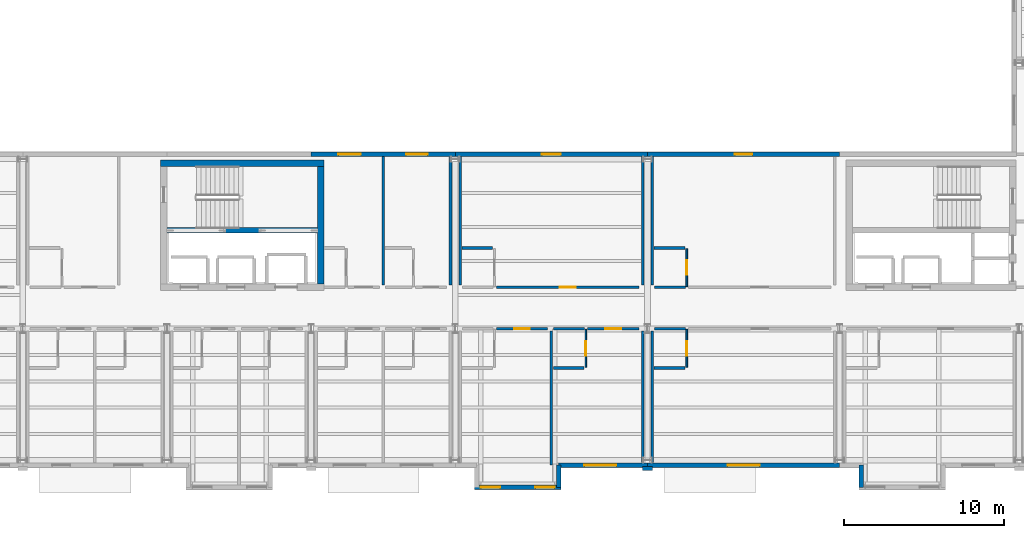
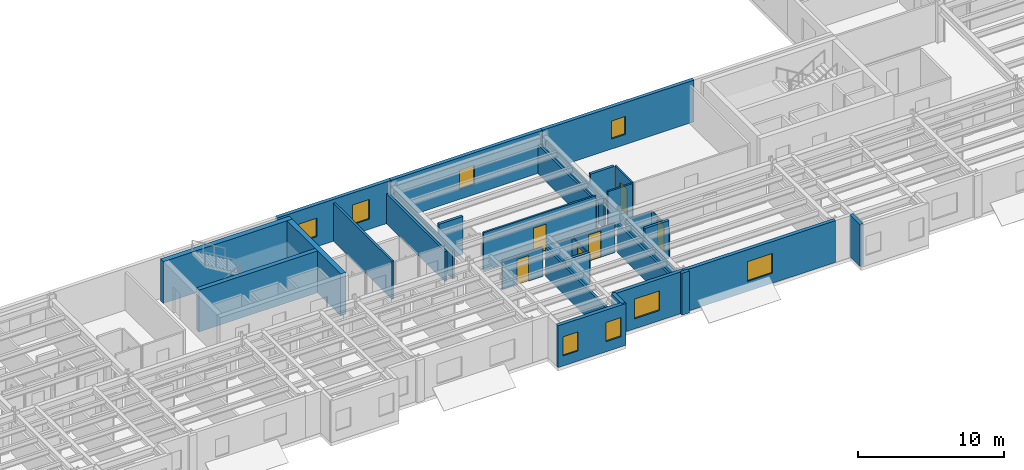
# One storey, part 11 of 19: 33 walls, 8 windows, 6 doors, 14 openings.
"""IFC4 building model written with IfcOpenShell, lengths in metres."""

from ifc_helpers import new_model, si_unit, direction, frame, frame_2d, origin, place, context, subcontext, project, spatial, rectangle, extrude, material, layer, layer_set, type_object, element, fill, save


model = new_model("IFC4")

# Units and contexts
model_context = context("Model", 3, precision=1e-05, world=origin(), true_north=direction((0.0, 1.0)))
body_context = subcontext(model_context, "Body", "Model", "MODEL_VIEW")
ifc_project = project(units=[si_unit("LENGTHUNIT", "METRE"), si_unit("AREAUNIT", "SQUARE_METRE"), si_unit("VOLUMEUNIT", "CUBIC_METRE"), si_unit("PLANEANGLEUNIT", "RADIAN"), si_unit("MASSUNIT", "GRAM", prefix="KILO")], contexts=[model_context])

# Site, building, storey
site_placement = place(None, origin())
site = spatial("IfcSite", under=ifc_project, at=site_placement, CompositionType="ELEMENT")
building_placement = place(site_placement, origin())
building = spatial("IfcBuilding", under=site, at=building_placement, Name="Sollismere Congress Hotel", CompositionType="ELEMENT")
storey_placement = place(building_placement, frame((0.0, 0.0, 34.10009765625)))
storey = spatial("IfcBuildingStorey", under=building, at=storey_placement, Name="L08", CompositionType="ELEMENT", Elevation=34.10009765625)

# Wall, opening, window
ifc_material_1 = material(Name="Colorado Buff Sandstone Rainscreen on Insulated Backup", Category="masonry")
ifc_layer_1 = layer(ifc_material_1, 0.284912109375, Name="Colorado Buff Sandstone Rainscreen on Insulated Backup")
ifc_layer_set_1 = layer_set([ifc_layer_1], Name="Colorado Buff Sandstone Rainscreen on Insulated Backup")
wall_type_1 = type_object("IfcWallType", Name="WL-EXT285", PredefinedType="STANDARD", material=ifc_layer_set_1)
wall_1_placement = place(storey_placement, frame((118.4599609375, -0.31005859375, 0.0), z_axis=(0.0, 0.0, 1.0), x_axis=(1.0, 0.0, 0.0)))
wall_1 = element("IfcWall", 1, at=wall_1_placement, inside=storey, type_object=wall_type_1, Name="Exterior wall EW-L08-828", PredefinedType="STANDARD", context=body_context, shape_type="SweptSolid", body=[
    extrude(rectangle(XDim=5.5400390625, YDim=0.284912109375, at=frame_2d((2.77001953125, 0.0))), origin(), (0.0, 0.0, 1.0), 3.5),
])
opening_1_placement = place(wall_1_placement, frame((1.594970703125, 0.0, 0.85009765625)))
opening_1 = element("IfcOpeningElement", 2, at=opening_1_placement, cuts=wall_1, Name="Opening W-L08-601", PredefinedType="OPENING", context=body_context, shape_type="SweptSolid", body=[
    extrude(rectangle(XDim=2.0, YDim=1.64990234375, at=frame_2d((1.0, 0.824951171875))), frame((0.0, 0.15234375, 0.0), z_axis=(0.0, -1.0, 0.0), x_axis=(1.0, 0.0, 0.0)), (0.0, 0.0, 1.0), 0.304931640625),
])
ifc_material_2 = material(Name="Thermally Broken Bronze Aluminum & Low-E Glass", Category="aluminium")
window_type_1 = type_object("IfcWindowType", Name="WN-P200x165", PartitioningType="SINGLE_PANEL", PredefinedType="WINDOW", material=ifc_material_2)
window_1_placement = place(opening_1_placement, origin())
window_1 = element("IfcWindow", 3, at=window_1_placement, inside=storey, type_object=window_type_1, Name="WIN-W-L08-601", OverallHeight=1.64990234375, OverallWidth=2.0, PartitioningType="SINGLE_PANEL", PredefinedType="WINDOW", context=body_context, shape_type="SweptSolid", body=[
    extrude(rectangle(XDim=2.0, YDim=1.64990234375, at=frame_2d((1.0, 0.824951171875))), frame((0.0, 0.030029296875, 0.0), z_axis=(0.0, -1.0, 0.0), x_axis=(1.0, 0.0, 0.0)), (0.0, 0.0, 1.0), 0.06005859375),
])
fill(opening_1, window_1)

# Wall, openings, windows
wall_2_placement = place(storey_placement, frame((113.199951171875, -1.699951171875, 0.0), z_axis=(0.0, 0.0, 1.0), x_axis=(1.0, 0.0, 0.0)))
wall_2 = element("IfcWall", 4, at=wall_2_placement, inside=storey, type_object=wall_type_1, Name="Exterior wall EW-L08-829", PredefinedType="STANDARD", context=body_context, shape_type="SweptSolid", body=[
    extrude(rectangle(XDim=5.400146484375, YDim=0.284912109375, at=frame_2d((2.7001953125, 0.0))), origin(), (0.0, 0.0, 1.0), 3.5),
])
opening_2_placement = place(wall_2_placement, frame((0.39990234375, 0.0, 0.85009765625)))
opening_2 = element("IfcOpeningElement", 5, at=opening_2_placement, cuts=wall_2, Name="Opening W-L08-602", PredefinedType="OPENING", context=body_context, shape_type="SweptSolid", body=[
    extrude(rectangle(XDim=1.199951171875, YDim=1.60009765625, at=frame_2d((0.60009765625, 0.800048828125))), frame((0.0, 0.15234375, 0.0), z_axis=(0.0, -1.0, 0.0), x_axis=(1.0, 0.0, 0.0)), (0.0, 0.0, 1.0), 0.304931640625),
])
opening_3_placement = place(wall_2_placement, frame((3.800048828125, 0.0, 0.85009765625)))
opening_3 = element("IfcOpeningElement", 6, at=opening_3_placement, cuts=wall_2, Name="Opening W-L08-603", PredefinedType="OPENING", context=body_context, shape_type="SweptSolid", body=[
    extrude(rectangle(XDim=1.199951171875, YDim=1.60009765625, at=frame_2d((0.60009765625, 0.800048828125))), frame((0.0, 0.15234375, 0.0), z_axis=(0.0, -1.0, 0.0), x_axis=(1.0, 0.0, 0.0)), (0.0, 0.0, 1.0), 0.304931640625),
])
window_type_2 = type_object("IfcWindowType", Name="WN-P120x160", PartitioningType="SINGLE_PANEL", PredefinedType="WINDOW", material=ifc_material_2)
window_2_placement = place(opening_2_placement, origin())
window_2 = element("IfcWindow", 7, at=window_2_placement, inside=storey, type_object=window_type_2, Name="WIN-W-L08-602", OverallHeight=1.60009765625, OverallWidth=1.199951171875, PartitioningType="SINGLE_PANEL", PredefinedType="WINDOW", context=body_context, shape_type="SweptSolid", body=[
    extrude(rectangle(XDim=1.199951171875, YDim=1.60009765625, at=frame_2d((0.60009765625, 0.800048828125))), frame((0.0, 0.030029296875, 0.0), z_axis=(0.0, -1.0, 0.0), x_axis=(1.0, 0.0, 0.0)), (0.0, 0.0, 1.0), 0.06005859375),
])
fill(opening_2, window_2)
window_3_placement = place(opening_3_placement, origin())
window_3 = element("IfcWindow", 8, at=window_3_placement, inside=storey, type_object=window_type_2, Name="WIN-W-L08-603", OverallHeight=1.60009765625, OverallWidth=1.199951171875, PartitioningType="SINGLE_PANEL", PredefinedType="WINDOW", context=body_context, shape_type="SweptSolid", body=[
    extrude(rectangle(XDim=1.199951171875, YDim=1.60009765625, at=frame_2d((0.60009765625, 0.800048828125))), frame((0.0, 0.030029296875, 0.0), z_axis=(0.0, -1.0, 0.0), x_axis=(1.0, 0.0, 0.0)), (0.0, 0.0, 1.0), 0.06005859375),
])
fill(opening_3, window_3)

# Wall
wall_3_placement = place(storey_placement, frame((118.4599609375, -1.699951171875, 0.0), z_axis=(0.0, 0.0, 1.0), x_axis=(0.0, 1.0, 0.0)))
element("IfcWall", 9, at=wall_3_placement, inside=storey, type_object=wall_type_1, Name="Exterior wall EW-L08-831", PredefinedType="STANDARD", context=body_context, shape_type="SweptSolid", body=[
    extrude(rectangle(XDim=1.389892578125, YDim=0.284912109375, at=frame_2d((0.69482421875, 0.0))), origin(), (0.0, 0.0, 1.0), 3.5),
])

# Wall, opening, window
wall_4_placement = place(storey_placement, frame((124.0, -0.31005859375, 0.0), z_axis=(0.0, 0.0, 1.0), x_axis=(1.0, 0.0, 0.0)))
wall_4 = element("IfcWall", 10, at=wall_4_placement, inside=storey, type_object=wall_type_1, Name="Exterior wall EW-L08-832", PredefinedType="STANDARD", context=body_context, shape_type="SweptSolid", body=[
    extrude(rectangle(XDim=12.0, YDim=0.284912109375, at=frame_2d((6.0, 0.0))), origin(), (0.0, 0.0, 1.0), 3.5),
])
opening_4_placement = place(wall_4_placement, frame((5.0, 0.0, 0.85009765625)))
opening_4 = element("IfcOpeningElement", 11, at=opening_4_placement, cuts=wall_4, Name="Opening W-L08-604", PredefinedType="OPENING", context=body_context, shape_type="SweptSolid", body=[
    extrude(rectangle(XDim=2.0, YDim=1.64990234375, at=frame_2d((1.0, 0.824951171875))), frame((0.0, 0.15234375, 0.0), z_axis=(0.0, -1.0, 0.0), x_axis=(1.0, 0.0, 0.0)), (0.0, 0.0, 1.0), 0.304931640625),
])
window_4_placement = place(opening_4_placement, origin())
window_4 = element("IfcWindow", 12, at=window_4_placement, inside=storey, type_object=window_type_1, Name="WIN-W-L08-604", OverallHeight=1.64990234375, OverallWidth=2.0, PartitioningType="SINGLE_PANEL", PredefinedType="WINDOW", context=body_context, shape_type="SweptSolid", body=[
    extrude(rectangle(XDim=2.0, YDim=1.64990234375, at=frame_2d((1.0, 0.824951171875))), frame((0.0, 0.030029296875, 0.0), z_axis=(0.0, -1.0, 0.0), x_axis=(1.0, 0.0, 0.0)), (0.0, 0.0, 1.0), 0.06005859375),
])
fill(opening_4, window_4)

# Wall
wall_5_placement = place(storey_placement, frame((137.340087890625, -0.31005859375, 0.0), z_axis=(0.0, 0.0, 1.0), x_axis=(0.0, -1.0, 0.0)))
element("IfcWall", 13, at=wall_5_placement, inside=storey, type_object=wall_type_1, Name="Exterior wall EW-L08-837", PredefinedType="STANDARD", context=body_context, shape_type="SweptSolid", body=[
    extrude(rectangle(XDim=1.389892578125, YDim=0.284912109375, at=frame_2d((0.69482421875, 0.0))), origin(), (0.0, 0.0, 1.0), 3.5),
])

# Wall, openings, windows
wall_6_placement = place(storey_placement, frame((112.0, 19.110107421875, 0.0), z_axis=(0.0, 0.0, 1.0), x_axis=(-1.0, 0.0, 0.0)))
wall_6 = element("IfcWall", 14, at=wall_6_placement, inside=storey, type_object=wall_type_1, Name="Exterior wall EW-L08-865", PredefinedType="STANDARD", context=body_context, shape_type="SweptSolid", body=[
    extrude(rectangle(XDim=9.0, YDim=0.284912109375, at=frame_2d((4.5, 0.0))), origin(), (0.0, 0.0, 1.0), 3.5),
])
opening_5_placement = place(wall_6_placement, frame((5.89990234375, 0.0, 0.85009765625)))
opening_5 = element("IfcOpeningElement", 15, at=opening_5_placement, cuts=wall_6, Name="Opening W-L08-622", PredefinedType="OPENING", context=body_context, shape_type="SweptSolid", body=[
    extrude(rectangle(XDim=1.39990234375, YDim=1.550048828125, at=frame_2d((0.699951171875, 0.77490234375))), frame((0.0, 0.15234375, 0.0), z_axis=(0.0, -1.0, 0.0), x_axis=(1.0, 0.0, 0.0)), (0.0, 0.0, 1.0), 0.304931640625),
])
opening_6_placement = place(wall_6_placement, frame((1.72509765625, 0.0, 0.85009765625)))
opening_6 = element("IfcOpeningElement", 16, at=opening_6_placement, cuts=wall_6, Name="Opening W-L08-623", PredefinedType="OPENING", context=body_context, shape_type="SweptSolid", body=[
    extrude(rectangle(XDim=1.35009765625, YDim=1.64990234375, at=frame_2d((0.675048828125, 0.824951171875))), frame((0.0, 0.15234375, 0.0), z_axis=(0.0, -1.0, 0.0), x_axis=(1.0, 0.0, 0.0)), (0.0, 0.0, 1.0), 0.304931640625),
])
window_type_3 = type_object("IfcWindowType", Name="WN-P135x165", PartitioningType="SINGLE_PANEL", PredefinedType="WINDOW", material=ifc_material_2)
window_5_placement = place(opening_6_placement, origin())
window_5 = element("IfcWindow", 17, at=window_5_placement, inside=storey, type_object=window_type_3, Name="WIN-W-L08-623", OverallHeight=1.64990234375, OverallWidth=1.35009765625, PartitioningType="SINGLE_PANEL", PredefinedType="WINDOW", context=body_context, shape_type="SweptSolid", body=[
    extrude(rectangle(XDim=1.35009765625, YDim=1.64990234375, at=frame_2d((0.675048828125, 0.824951171875))), frame((0.0, 0.030029296875, 0.0), z_axis=(0.0, -1.0, 0.0), x_axis=(1.0, 0.0, 0.0)), (0.0, 0.0, 1.0), 0.06005859375),
])
fill(opening_6, window_5)
window_type_4 = type_object("IfcWindowType", Name="WN-P140x155", PartitioningType="SINGLE_PANEL", PredefinedType="WINDOW", material=ifc_material_2)
window_6_placement = place(opening_5_placement, origin())
window_6 = element("IfcWindow", 18, at=window_6_placement, inside=storey, type_object=window_type_4, Name="WIN-W-L08-622", OverallHeight=1.550048828125, OverallWidth=1.39990234375, PartitioningType="SINGLE_PANEL", PredefinedType="WINDOW", context=body_context, shape_type="SweptSolid", body=[
    extrude(rectangle(XDim=1.39990234375, YDim=1.550048828125, at=frame_2d((0.699951171875, 0.77490234375))), frame((0.0, 0.030029296875, 0.0), z_axis=(0.0, -1.0, 0.0), x_axis=(1.0, 0.0, 0.0)), (0.0, 0.0, 1.0), 0.06005859375),
])
fill(opening_5, window_6)

# Wall, opening, window
wall_7_placement = place(storey_placement, frame((124.0, 19.110107421875, 0.0), z_axis=(0.0, 0.0, 1.0), x_axis=(-1.0, 0.0, 0.0)))
wall_7 = element("IfcWall", 19, at=wall_7_placement, inside=storey, type_object=wall_type_1, Name="Exterior wall EW-L08-866", PredefinedType="STANDARD", context=body_context, shape_type="SweptSolid", body=[
    extrude(rectangle(XDim=12.0, YDim=0.284912109375, at=frame_2d((6.0, 0.0))), origin(), (0.0, 0.0, 1.0), 3.5),
])
opening_7_placement = place(wall_7_placement, frame((5.39990234375, 0.0, 0.85009765625)))
opening_7 = element("IfcOpeningElement", 20, at=opening_7_placement, cuts=wall_7, Name="Opening W-L08-624", PredefinedType="OPENING", context=body_context, shape_type="SweptSolid", body=[
    extrude(rectangle(XDim=1.199951171875, YDim=1.60009765625, at=frame_2d((0.60009765625, 0.800048828125))), frame((0.0, 0.15234375, 0.0), z_axis=(0.0, -1.0, 0.0), x_axis=(1.0, 0.0, 0.0)), (0.0, 0.0, 1.0), 0.304931640625),
])
window_7_placement = place(opening_7_placement, origin())
window_7 = element("IfcWindow", 21, at=window_7_placement, inside=storey, type_object=window_type_2, Name="WIN-W-L08-624", OverallHeight=1.60009765625, OverallWidth=1.199951171875, PartitioningType="SINGLE_PANEL", PredefinedType="WINDOW", context=body_context, shape_type="SweptSolid", body=[
    extrude(rectangle(XDim=1.199951171875, YDim=1.60009765625, at=frame_2d((0.60009765625, 0.800048828125))), frame((0.0, 0.030029296875, 0.0), z_axis=(0.0, -1.0, 0.0), x_axis=(1.0, 0.0, 0.0)), (0.0, 0.0, 1.0), 0.06005859375),
])
fill(opening_7, window_7)

wall_8_placement = place(storey_placement, frame((136.0, 19.110107421875, 0.0), z_axis=(0.0, 0.0, 1.0), x_axis=(-1.0, 0.0, 0.0)))
wall_8 = element("IfcWall", 22, at=wall_8_placement, inside=storey, type_object=wall_type_1, Name="Exterior wall EW-L08-867", PredefinedType="STANDARD", context=body_context, shape_type="SweptSolid", body=[
    extrude(rectangle(XDim=12.0, YDim=0.284912109375, at=frame_2d((6.0, 0.0))), origin(), (0.0, 0.0, 1.0), 3.5),
])
opening_8_placement = place(wall_8_placement, frame((5.449951171875, 0.0, 0.85009765625)))
opening_8 = element("IfcOpeningElement", 23, at=opening_8_placement, cuts=wall_8, Name="Opening W-L08-625", PredefinedType="OPENING", context=body_context, shape_type="SweptSolid", body=[
    extrude(rectangle(XDim=1.10009765625, YDim=1.5, at=frame_2d((0.550048828125, 0.75))), frame((0.0, 0.15234375, 0.0), z_axis=(0.0, -1.0, 0.0), x_axis=(1.0, 0.0, 0.0)), (0.0, 0.0, 1.0), 0.304931640625),
])
window_type_5 = type_object("IfcWindowType", Name="WN-P110x150", PartitioningType="SINGLE_PANEL", PredefinedType="WINDOW", material=ifc_material_2)
window_8_placement = place(opening_8_placement, origin())
window_8 = element("IfcWindow", 24, at=window_8_placement, inside=storey, type_object=window_type_5, Name="WIN-W-L08-625", OverallHeight=1.5, OverallWidth=1.10009765625, PartitioningType="SINGLE_PANEL", PredefinedType="WINDOW", context=body_context, shape_type="SweptSolid", body=[
    extrude(rectangle(XDim=1.10009765625, YDim=1.5, at=frame_2d((0.550048828125, 0.75))), frame((0.0, 0.030029296875, 0.0), z_axis=(0.0, -1.0, 0.0), x_axis=(1.0, 0.0, 0.0)), (0.0, 0.0, 1.0), 0.06005859375),
])
fill(opening_8, window_8)

# Walls
ifc_material_3 = material(Name="Carved Travertine Pilaster & Frieze Assembly", Category="masonry")
ifc_layer_2 = layer(ifc_material_3, 0.260009765625, Name="Carved Travertine Pilaster & Frieze Assembly")
ifc_layer_set_2 = layer_set([ifc_layer_2], Name="Carved Travertine Pilaster & Frieze Assembly")
wall_type_2 = type_object("IfcWallType", Name="WL-PIL280", PredefinedType="ELEMENTEDWALL", material=ifc_layer_set_2)
wall_9_placement = place(storey_placement, frame((123.699951171875, -0.52001953125, 0.0), z_axis=(0.0, 0.0, 1.0), x_axis=(1.0, 0.0, 0.0)))
element("IfcWall", 25, at=wall_9_placement, inside=storey, type_object=wall_type_2, Name="Exterior wall EW-L08-833", PredefinedType="ELEMENTEDWALL", context=body_context, shape_type="SweptSolid", body=[
    extrude(rectangle(XDim=0.60009765625, YDim=0.260009765625, at=frame_2d((0.300048828125, 0.0))), origin(), (0.0, 0.0, 1.0), 3.5),
])
ifc_material_4 = material(Name="Moisture-Resistant Shaft Gypsum Assembly")
ifc_layer_3 = layer(ifc_material_4, 0.199951171875, Name="Moisture-Resistant Shaft Gypsum Assembly")
ifc_layer_set_3 = layer_set([ifc_layer_3], Name="Moisture-Resistant Shaft Gypsum Assembly")
wall_type_3 = type_object("IfcWallType", Name="WL-PLM200", PredefinedType="PLUMBINGWALL", material=ifc_layer_set_3)
wall_10_placement = place(storey_placement, frame((118.1201171875, 5.75, 0.0), z_axis=(0.0, 0.0, 1.0), x_axis=(1.0, 0.0, 0.0)))
element("IfcWall", 26, at=wall_10_placement, inside=storey, type_object=wall_type_3, Name="Interior wall IW-L08-2494", PredefinedType="PLUMBINGWALL", context=body_context, shape_type="SweptSolid", body=[
    extrude(rectangle(XDim=1.909912109375, YDim=0.199951171875, at=frame_2d((0.955078125, 0.0))), origin(), (0.0, 0.0, 1.0), 2.742919921875),
])
for number, where, z_axis, x_axis, name in (
    (27, (112.419921875, 13.25, 0.0), (0.0, 0.0, 1.0), (1.0, 0.0, 0.0), "Interior wall IW-L08-2500"),
    (28, (124.419921875, 5.75, 0.0), (0.0, 0.0, 1.0), (1.0, 0.0, 0.0), "Interior wall IW-L08-2506"),
    (29, (124.419921875, 13.25, 0.0), (0.0, 0.0, 1.0), (1.0, 0.0, 0.0), "Interior wall IW-L08-2512"),
):
    element("IfcWall", number, at=place(storey_placement, frame(where, z_axis=z_axis, x_axis=x_axis)), inside=storey, type_object=wall_type_3, Name=name, PredefinedType="PLUMBINGWALL", context=body_context, shape_type="SweptSolid", body=[
        extrude(rectangle(XDim=1.91015625, YDim=0.199951171875, at=frame_2d((0.955078125, 0.0))), origin(), (0.0, 0.0, 1.0), 3.18994140625),
    ])

# Wall, opening, door
ifc_material_5 = material(Name="Moisture-Resistant Gypsum Partition")
ifc_layer_4 = layer(ifc_material_5, 0.10009765625, Name="Moisture-Resistant Gypsum Partition")
ifc_layer_set_4 = layer_set([ifc_layer_4], Name="Moisture-Resistant Gypsum Partition")
wall_type_4 = type_object("IfcWallType", Name="WL-PRT100", PredefinedType="PARTITIONING", material=ifc_layer_set_4)
wall_11_placement = place(storey_placement, frame((120.14990234375, 5.7900390625, 0.0), z_axis=(0.0, 0.0, 1.0), x_axis=(0.0, 1.0, 0.0)))
wall_11 = element("IfcWall", 30, at=wall_11_placement, inside=storey, type_object=wall_type_4, Name="Interior wall IW-L08-2493", PredefinedType="PARTITIONING", context=body_context, shape_type="SweptSolid", body=[
    extrude(rectangle(XDim=2.369873046875, YDim=0.10009765625, at=frame_2d((1.18505859375, 0.0))), origin(), (0.0, 0.0, 1.0), 2.427978515625),
])
opening_9_placement = place(wall_11_placement, frame((0.719970703125, 0.0, 0.0)))
opening_9 = element("IfcOpeningElement", 31, at=opening_9_placement, cuts=wall_11, Name="Opening D-L08-0881", PredefinedType="OPENING", context=body_context, shape_type="SweptSolid", body=[
    extrude(rectangle(XDim=0.929931640625, YDim=2.139892578125, at=frame_2d((0.46484375, 1.06982421875))), frame((0.0, 0.06005859375, 0.0), z_axis=(0.0, -1.0, 0.0), x_axis=(1.0, 0.0, 0.0)), (0.0, 0.0, 1.0), 0.1201171875),
])
ifc_material_6 = material(Name="Moisture-Sealed Timber Bathroom Door", Category="wood")
door_type_1 = type_object("IfcDoorType", Name="DR-BT03", OperationType="NOTDEFINED", PredefinedType="DOOR", material=ifc_material_6)
door_1_placement = place(opening_9_placement, origin())
door_1 = element("IfcDoor", 32, at=door_1_placement, inside=storey, type_object=door_type_1, Name="En-suite bathroom door D-L08-0881", OperationType="SINGLE_SWING_RIGHT", OverallHeight=2.139892578125, OverallWidth=0.929931640625, PredefinedType="DOOR", context=body_context, shape_type="SweptSolid", body=[
    extrude(rectangle(XDim=0.929931640625, YDim=2.139892578125, at=frame_2d((0.46484375, 1.06982421875))), frame((0.0, 0.02490234375, 0.0), z_axis=(0.0, -1.0, 0.0), x_axis=(1.0, 0.0, 0.0)), (0.0, 0.0, 1.0), 0.050048828125),
])
fill(opening_9, door_1)

wall_12_placement = place(storey_placement, frame((126.449951171875, 5.7900390625, 0.0), z_axis=(0.0, 0.0, 1.0), x_axis=(0.0, 1.0, 0.0)))
wall_12 = element("IfcWall", 33, at=wall_12_placement, inside=storey, type_object=wall_type_4, Name="Interior wall IW-L08-2505", PredefinedType="PARTITIONING", context=body_context, shape_type="SweptSolid", body=[
    extrude(rectangle(XDim=2.369873046875, YDim=0.10009765625, at=frame_2d((1.18505859375, 0.0))), origin(), (0.0, 0.0, 1.0), 2.427978515625),
])
opening_10_placement = place(wall_12_placement, frame((0.7451171875, 0.0, 0.0)))
opening_10 = element("IfcOpeningElement", 34, at=opening_10_placement, cuts=wall_12, Name="Opening D-L08-0885", PredefinedType="OPENING", context=body_context, shape_type="SweptSolid", body=[
    extrude(rectangle(XDim=0.8798828125, YDim=2.179931640625, at=frame_2d((0.43994140625, 1.08984375))), frame((0.0, 0.06005859375, 0.0), z_axis=(0.0, -1.0, 0.0), x_axis=(1.0, 0.0, 0.0)), (0.0, 0.0, 1.0), 0.1201171875),
])
door_type_2 = type_object("IfcDoorType", Name="DR-BT05", OperationType="NOTDEFINED", PredefinedType="DOOR", material=ifc_material_6)
door_2_placement = place(opening_10_placement, origin())
door_2 = element("IfcDoor", 35, at=door_2_placement, inside=storey, type_object=door_type_2, Name="En-suite bathroom door D-L08-0885", OperationType="SINGLE_SWING_RIGHT", OverallHeight=2.179931640625, OverallWidth=0.8798828125, PredefinedType="DOOR", context=body_context, shape_type="SweptSolid", body=[
    extrude(rectangle(XDim=0.8798828125, YDim=2.179931640625, at=frame_2d((0.43994140625, 1.08984375))), frame((0.0, 0.02490234375, 0.0), z_axis=(0.0, -1.0, 0.0), x_axis=(1.0, 0.0, 0.0)), (0.0, 0.0, 1.0), 0.050048828125),
])
fill(opening_10, door_2)

wall_13_placement = place(storey_placement, frame((126.449951171875, 10.840087890625, 0.0), z_axis=(0.0, 0.0, 1.0), x_axis=(0.0, 1.0, 0.0)))
wall_13 = element("IfcWall", 36, at=wall_13_placement, inside=storey, type_object=wall_type_4, Name="Interior wall IW-L08-2511", PredefinedType="PARTITIONING", context=body_context, shape_type="SweptSolid", body=[
    extrude(rectangle(XDim=2.369873046875, YDim=0.10009765625, at=frame_2d((1.18505859375, 0.0))), origin(), (0.0, 0.0, 1.0), 3.18994140625),
])
opening_11_placement = place(wall_13_placement, frame((0.73291015625, 0.0, 0.0)))
opening_11 = element("IfcOpeningElement", 37, at=opening_11_placement, cuts=wall_13, Name="Opening D-L08-0887", PredefinedType="OPENING", context=body_context, shape_type="SweptSolid", body=[
    extrude(rectangle(XDim=0.905029296875, YDim=2.179931640625, at=frame_2d((0.45263671875, 1.08984375))), frame((0.0, 0.06005859375, 0.0), z_axis=(0.0, -1.0, 0.0), x_axis=(1.0, 0.0, 0.0)), (0.0, 0.0, 1.0), 0.1201171875),
])
door_type_3 = type_object("IfcDoorType", Name="DR-BT06", OperationType="NOTDEFINED", PredefinedType="DOOR", material=ifc_material_6)
door_3_placement = place(opening_11_placement, origin())
door_3 = element("IfcDoor", 38, at=door_3_placement, inside=storey, type_object=door_type_3, Name="En-suite bathroom door D-L08-0887", OperationType="SINGLE_SWING_RIGHT", OverallHeight=2.179931640625, OverallWidth=0.905029296875, PredefinedType="DOOR", context=body_context, shape_type="SweptSolid", body=[
    extrude(rectangle(XDim=0.905029296875, YDim=2.179931640625, at=frame_2d((0.45263671875, 1.08984375))), frame((0.0, 0.02490234375, 0.0), z_axis=(0.0, -1.0, 0.0), x_axis=(1.0, 0.0, 0.0)), (0.0, 0.0, 1.0), 0.050048828125),
])
fill(opening_11, door_3)

ifc_material_7 = material(Name="Fire-Rated Gypsum Partition")
ifc_layer_5 = layer(ifc_material_7, 0.139892578125, Name="Fire-Rated Gypsum Partition")
ifc_layer_set_5 = layer_set([ifc_layer_5], Name="Fire-Rated Gypsum Partition")
wall_type_5 = type_object("IfcWallType", Name="WL-PRT140R", PredefinedType="PARTITIONING", material=ifc_layer_set_5)
wall_14_placement = place(storey_placement, frame((114.570068359375, 8.199951171875, 0.0), z_axis=(0.0, 0.0, 1.0), x_axis=(1.0, 0.0, 0.0)))
wall_14 = element("IfcWall", 39, at=wall_14_placement, inside=storey, type_object=wall_type_5, Name="Interior wall IW-L08-2485", PredefinedType="PARTITIONING", context=body_context, shape_type="SweptSolid", body=[
    extrude(rectangle(XDim=3.18994140625, YDim=0.139892578125, at=frame_2d((1.594970703125, 0.0))), origin(), (0.0, 0.0, 1.0), 2.427978515625),
])
opening_12_placement = place(wall_14_placement, frame((1.1201171875, 0.0, 0.0)))
opening_12 = element("IfcOpeningElement", 40, at=opening_12_placement, cuts=wall_14, Name="Opening D-L08-0878", PredefinedType="OPENING", context=body_context, shape_type="SweptSolid", body=[
    extrude(rectangle(XDim=0.949951171875, YDim=2.14990234375, at=frame_2d((0.47509765625, 1.074951171875))), frame((0.0, 0.079833984375, 0.0), z_axis=(0.0, -1.0, 0.0), x_axis=(1.0, 0.0, 0.0)), (0.0, 0.0, 1.0), 0.159912109375),
])
ifc_material_8 = material(Name="Solid-Core Acoustic Walnut Guestroom Entry Door")
door_type_4 = type_object("IfcDoorType", Name="DR-KY02", OperationType="NOTDEFINED", PredefinedType="DOOR", material=ifc_material_8)
door_4_placement = place(opening_12_placement, origin())
door_4 = element("IfcDoor", 41, at=door_4_placement, inside=storey, type_object=door_type_4, Name="Hotel room entry door D-L08-0878", OperationType="SINGLE_SWING_LEFT", OverallHeight=2.14990234375, OverallWidth=0.949951171875, PredefinedType="DOOR", context=body_context, shape_type="SweptSolid", body=[
    extrude(rectangle(XDim=0.949951171875, YDim=2.14990234375, at=frame_2d((0.47509765625, 1.074951171875))), frame((0.0, 0.02490234375, 0.0), z_axis=(0.0, -1.0, 0.0), x_axis=(1.0, 0.0, 0.0)), (0.0, 0.0, 1.0), 0.050048828125),
])
fill(opening_12, door_4)

# Wall
wall_15_placement = place(storey_placement, frame((118.139892578125, 8.199951171875, 0.0), z_axis=(0.0, 0.0, 1.0), x_axis=(1.0, 0.0, 0.0)))
element("IfcWall", 42, at=wall_15_placement, inside=storey, type_object=wall_type_5, Name="Interior wall IW-L08-2490", PredefinedType="PARTITIONING", context=body_context, shape_type="SweptSolid", body=[
    extrude(rectangle(XDim=1.93017578125, YDim=0.139892578125, at=frame_2d((0.965087890625, 0.0))), origin(), (0.0, 0.0, 1.0), 2.427978515625),
])

# Wall, opening, door
wall_16_placement = place(storey_placement, frame((120.27001953125, 8.199951171875, 0.0), z_axis=(0.0, 0.0, 1.0), x_axis=(1.0, 0.0, 0.0)))
wall_16 = element("IfcWall", 43, at=wall_16_placement, inside=storey, type_object=wall_type_5, Name="Interior wall IW-L08-2491", PredefinedType="PARTITIONING", context=body_context, shape_type="SweptSolid", body=[
    extrude(rectangle(XDim=3.18994140625, YDim=0.139892578125, at=frame_2d((1.594970703125, 0.0))), origin(), (0.0, 0.0, 1.0), 2.427978515625),
])
opening_13_placement = place(wall_16_placement, frame((1.10498046875, 0.0, 0.0)))
opening_13 = element("IfcOpeningElement", 44, at=opening_13_placement, cuts=wall_16, Name="Opening D-L08-0880", PredefinedType="OPENING", context=body_context, shape_type="SweptSolid", body=[
    extrude(rectangle(XDim=0.97998046875, YDim=2.199951171875, at=frame_2d((0.489990234375, 1.10009765625))), frame((0.0, 0.079833984375, 0.0), z_axis=(0.0, -1.0, 0.0), x_axis=(1.0, 0.0, 0.0)), (0.0, 0.0, 1.0), 0.159912109375),
])
door_type_5 = type_object("IfcDoorType", Name="DR-KY03", OperationType="NOTDEFINED", PredefinedType="DOOR", material=ifc_material_8)
door_5_placement = place(opening_13_placement, origin())
door_5 = element("IfcDoor", 45, at=door_5_placement, inside=storey, type_object=door_type_5, Name="Hotel room entry door D-L08-0880", OperationType="SINGLE_SWING_LEFT", OverallHeight=2.199951171875, OverallWidth=0.97998046875, PredefinedType="DOOR", context=body_context, shape_type="SweptSolid", body=[
    extrude(rectangle(XDim=0.97998046875, YDim=2.199951171875, at=frame_2d((0.489990234375, 1.10009765625))), frame((0.0, 0.02490234375, 0.0), z_axis=(0.0, -1.0, 0.0), x_axis=(1.0, 0.0, 0.0)), (0.0, 0.0, 1.0), 0.050048828125),
])
fill(opening_13, door_5)

wall_17_placement = place(storey_placement, frame((114.570068359375, 10.800048828125, 0.0), z_axis=(0.0, 0.0, 1.0), x_axis=(1.0, 0.0, 0.0)))
wall_17 = element("IfcWall", 46, at=wall_17_placement, inside=storey, type_object=wall_type_5, Name="Interior wall IW-L08-2496", PredefinedType="PARTITIONING", context=body_context, shape_type="SweptSolid", body=[
    extrude(rectangle(XDim=8.889892578125, YDim=0.139892578125, at=frame_2d((4.44482421875, 0.0))), origin(), (0.0, 0.0, 1.0), 3.18994140625),
])
opening_14_placement = place(wall_17_placement, frame((3.93994140625, 0.0, 0.0)))
opening_14 = element("IfcOpeningElement", 47, at=opening_14_placement, cuts=wall_17, Name="Opening D-L08-0882", PredefinedType="OPENING", context=body_context, shape_type="SweptSolid", body=[
    extrude(rectangle(XDim=1.010009765625, YDim=2.199951171875, at=frame_2d((0.5048828125, 1.10009765625))), frame((0.0, 0.079833984375, 0.0), z_axis=(0.0, -1.0, 0.0), x_axis=(1.0, 0.0, 0.0)), (0.0, 0.0, 1.0), 0.159912109375),
])
door_type_6 = type_object("IfcDoorType", Name="DR-KY04", OperationType="NOTDEFINED", PredefinedType="DOOR", material=ifc_material_8)
door_6_placement = place(opening_14_placement, origin())
door_6 = element("IfcDoor", 48, at=door_6_placement, inside=storey, type_object=door_type_6, Name="Hotel room entry door D-L08-0882", OperationType="SINGLE_SWING_LEFT", OverallHeight=2.199951171875, OverallWidth=1.010009765625, PredefinedType="DOOR", context=body_context, shape_type="SweptSolid", body=[
    extrude(rectangle(XDim=1.010009765625, YDim=2.199951171875, at=frame_2d((0.5048828125, 1.10009765625))), frame((0.0, 0.02490234375, 0.0), z_axis=(0.0, -1.0, 0.0), x_axis=(1.0, 0.0, 0.0)), (0.0, 0.0, 1.0), 0.050048828125),
])
fill(opening_14, door_6)

# Walls
wall_18_placement = place(storey_placement, frame((124.43994140625, 8.199951171875, 0.0), z_axis=(0.0, 0.0, 1.0), x_axis=(1.0, 0.0, 0.0)))
element("IfcWall", 49, at=wall_18_placement, inside=storey, type_object=wall_type_5, Name="Interior wall IW-L08-2501", PredefinedType="PARTITIONING", context=body_context, shape_type="SweptSolid", body=[
    extrude(rectangle(XDim=1.93017578125, YDim=0.139892578125, at=frame_2d((0.965087890625, 0.0))), origin(), (0.0, 0.0, 1.0), 2.427978515625),
])
wall_19_placement = place(storey_placement, frame((124.43994140625, 10.800048828125, 0.0), z_axis=(0.0, 0.0, 1.0), x_axis=(1.0, 0.0, 0.0)))
element("IfcWall", 50, at=wall_19_placement, inside=storey, type_object=wall_type_5, Name="Interior wall IW-L08-2507", PredefinedType="PARTITIONING", context=body_context, shape_type="SweptSolid", body=[
    extrude(rectangle(XDim=1.93017578125, YDim=0.139892578125, at=frame_2d((0.965087890625, 0.0))), origin(), (0.0, 0.0, 1.0), 3.18994140625),
])
ifc_material_9 = material(Name="Fire-Rated Acoustic Gypsum Partition")
ifc_layer_6 = layer(ifc_material_9, 0.1650390625, Name="Fire-Rated Acoustic Gypsum Partition")
ifc_layer_set_6 = layer_set([ifc_layer_6], Name="Fire-Rated Acoustic Gypsum Partition")
wall_type_6 = type_object("IfcWallType", Name="WL-PRT165R", PredefinedType="PARTITIONING", material=ifc_layer_set_6)
wall_20_placement = place(storey_placement, frame((107.5, 10.93994140625, 0.0), z_axis=(0.0, 0.0, 1.0), x_axis=(0.0, 1.0, 0.0)))
element("IfcWall", 51, at=wall_20_placement, inside=storey, type_object=wall_type_6, Name="Interior wall IW-L08-2476", PredefinedType="PARTITIONING", context=body_context, shape_type="SweptSolid", body=[
    extrude(rectangle(XDim=8.012451171875, YDim=0.1650390625, at=frame_2d((4.00634765625, 0.0))), origin(), (0.0, 0.0, 1.0), 3.18994140625),
])
wall_21_placement = place(storey_placement, frame((111.699951171875, 10.93994140625, 0.0), z_axis=(0.0, 0.0, 1.0), x_axis=(0.0, 1.0, 0.0)))
element("IfcWall", 52, at=wall_21_placement, inside=storey, type_object=wall_type_6, Name="Interior wall IW-L08-2481", PredefinedType="PARTITIONING", context=body_context, shape_type="SweptSolid", body=[
    extrude(rectangle(XDim=8.012451171875, YDim=0.1650390625, at=frame_2d((4.00634765625, 0.0))), origin(), (0.0, 0.0, 1.0), 2.518798828125),
])
wall_22_placement = place(storey_placement, frame((118.0, -0.31005859375, 0.0), z_axis=(0.0, 0.0, 1.0), x_axis=(0.0, 1.0, 0.0)))
element("IfcWall", 53, at=wall_22_placement, inside=storey, type_object=wall_type_6, Name="Interior wall IW-L08-2487", PredefinedType="PARTITIONING", context=body_context, shape_type="SweptSolid", body=[
    extrude(rectangle(XDim=8.3701171875, YDim=0.1650390625, at=frame_2d((4.18505859375, 0.0))), origin(), (0.0, 0.0, 1.0), 2.427978515625),
])
wall_23_placement = place(storey_placement, frame((123.699951171875, -0.152587890625, 0.0), z_axis=(0.0, 0.0, 1.0), x_axis=(0.0, 1.0, 0.0)))
element("IfcWall", 54, at=wall_23_placement, inside=storey, type_object=wall_type_6, Name="Interior wall IW-L08-2492", PredefinedType="PARTITIONING", context=body_context, shape_type="SweptSolid", body=[
    extrude(rectangle(XDim=8.212646484375, YDim=0.1650390625, at=frame_2d((4.1064453125, 0.0))), origin(), (0.0, 0.0, 1.0), 2.427978515625),
])
for number, where, z_axis, x_axis, name in (
    (55, (112.300048828125, 10.93994140625, 0.0), (0.0, 0.0, 1.0), (0.0, 1.0, 0.0), "Interior wall IW-L08-2497"),
    (56, (123.699951171875, 10.93994140625, 0.0), (0.0, 0.0, 1.0), (0.0, 1.0, 0.0), "Interior wall IW-L08-2498"),
):
    element("IfcWall", number, at=place(storey_placement, frame(where, z_axis=z_axis, x_axis=x_axis)), inside=storey, type_object=wall_type_6, Name=name, PredefinedType="PARTITIONING", context=body_context, shape_type="SweptSolid", body=[
        extrude(rectangle(XDim=8.012451171875, YDim=0.1650390625, at=frame_2d((4.00634765625, 0.0))), origin(), (0.0, 0.0, 1.0), 2.427978515625),
    ])
wall_24_placement = place(storey_placement, frame((124.300048828125, -0.152587890625, 0.0), z_axis=(0.0, 0.0, 1.0), x_axis=(0.0, 1.0, 0.0)))
element("IfcWall", 57, at=wall_24_placement, inside=storey, type_object=wall_type_6, Name="Interior wall IW-L08-2503", PredefinedType="PARTITIONING", context=body_context, shape_type="SweptSolid", body=[
    extrude(rectangle(XDim=8.212646484375, YDim=0.1650390625, at=frame_2d((4.1064453125, 0.0))), origin(), (0.0, 0.0, 1.0), 2.427978515625),
])
wall_25_placement = place(storey_placement, frame((124.300048828125, 10.93994140625, 0.0), z_axis=(0.0, 0.0, 1.0), x_axis=(0.0, 1.0, 0.0)))
element("IfcWall", 58, at=wall_25_placement, inside=storey, type_object=wall_type_6, Name="Interior wall IW-L08-2509", PredefinedType="PARTITIONING", context=body_context, shape_type="SweptSolid", body=[
    extrude(rectangle(XDim=8.012451171875, YDim=0.1650390625, at=frame_2d((4.00634765625, 0.0))), origin(), (0.0, 0.0, 1.0), 2.518798828125),
])
ifc_material_10 = material(Name="Concrete C50/60", Category="concrete")
ifc_layer_7 = layer(ifc_material_10, 0.35009765625, Name="Concrete C50/60")
ifc_layer_set_7 = layer_set([ifc_layer_7], Name="Concrete C50/60")
wall_type_7 = type_object("IfcWallType", Name="WL-SHR350", PredefinedType="SHEAR", material=ifc_layer_set_7)
wall_26_placement = place(storey_placement, frame((94.0, 14.35009765625, 0.0), z_axis=(0.0, 0.0, 1.0), x_axis=(1.0, 0.0, 0.0)))
element("IfcWall", 59, at=wall_26_placement, inside=storey, type_object=wall_type_7, Name="Interior wall IW-L08-0330", PredefinedType="SHEAR", context=body_context, shape_type="SweptSolid", body=[
    extrude(rectangle(XDim=9.39990234375, YDim=0.35009765625, at=frame_2d((4.699951171875, 0.0))), origin(), (0.0, 0.0, 1.0), 3.5),
])
ifc_layer_8 = layer(ifc_material_10, 0.39990234375, Name="Concrete C50/60")
ifc_layer_set_8 = layer_set([ifc_layer_8], Name="Concrete C50/60")
wall_type_8 = type_object("IfcWallType", Name="WL-SHR400", PredefinedType="SHEAR", material=ifc_layer_set_8)
wall_27_placement = place(storey_placement, frame((103.800048828125, 18.550048828125, 0.0), z_axis=(0.0, 0.0, 1.0), x_axis=(-1.0, 0.0, 0.0)))
element("IfcWall", 60, at=wall_27_placement, inside=storey, type_object=wall_type_8, Name="Interior wall IW-L08-0327", PredefinedType="SHEAR", context=body_context, shape_type="SweptSolid", body=[
    extrude(rectangle(XDim=10.199951171875, YDim=0.39990234375, at=frame_2d((5.10009765625, 0.0))), origin(), (0.0, 0.0, 1.0), 3.5),
])
wall_28_placement = place(storey_placement, frame((103.60009765625, 11.0, 0.0), z_axis=(0.0, 0.0, 1.0), x_axis=(0.0, 1.0, 0.0)))
element("IfcWall", 61, at=wall_28_placement, inside=storey, type_object=wall_type_8, Name="Interior wall IW-L08-0329", PredefinedType="SHEAR", context=body_context, shape_type="SweptSolid", body=[
    extrude(rectangle(XDim=7.35009765625, YDim=0.39990234375, at=frame_2d((3.675048828125, 0.0))), origin(), (0.0, 0.0, 1.0), 3.5),
])

save(model, "model.ifc")
